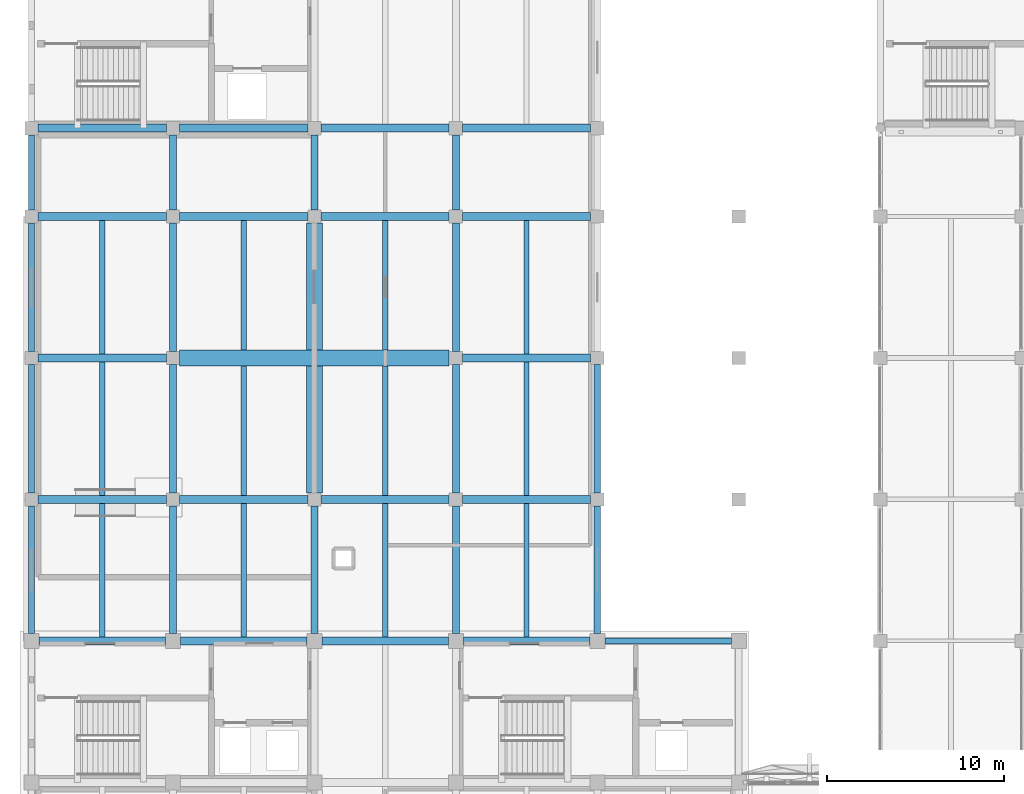
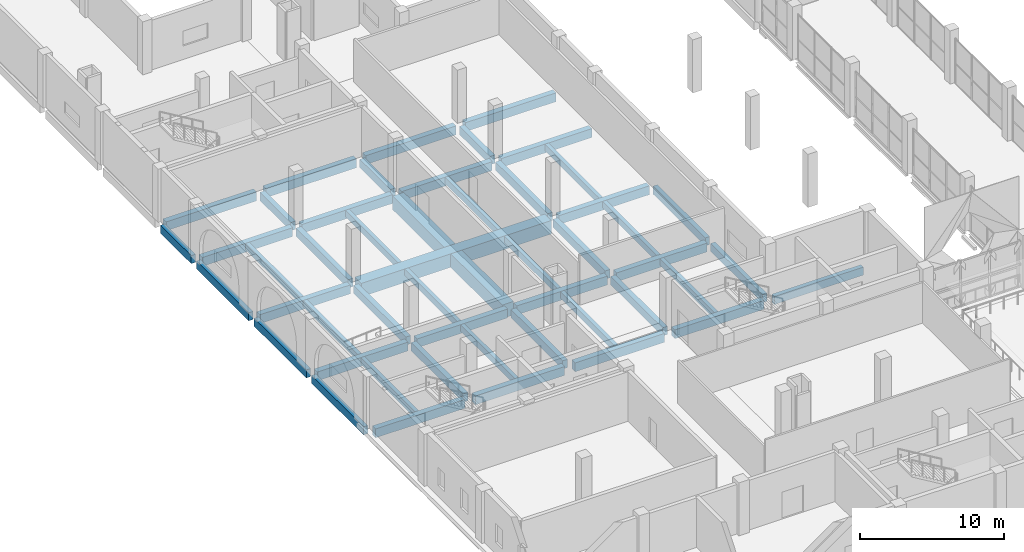
# One storey, part 9 of 53: 49 beams.
"""IFC4 building model written with IfcOpenShell, lengths in metres."""

from ifc_helpers import new_model, si_unit, direction, frame, origin, origin_2d, place, context, subcontext, project, spatial, rectangle, extrude, material, material_profile, profile_set, type_object, element, save


model = new_model("IFC4")

# Units and contexts
model_context = context("Model", 3, precision=1e-05, world=origin(), true_north=direction((0.0, 1.0)))
body_context = subcontext(model_context, "Body", "Model", "MODEL_VIEW")
ifc_project = project(units=[si_unit("LENGTHUNIT", "METRE"), si_unit("AREAUNIT", "SQUARE_METRE"), si_unit("VOLUMEUNIT", "CUBIC_METRE"), si_unit("PLANEANGLEUNIT", "RADIAN"), si_unit("MASSUNIT", "GRAM", prefix="KILO")], contexts=[model_context])

# Site, building, storey
site_placement = place(None, origin())
site = spatial("IfcSite", under=ifc_project, at=site_placement, CompositionType="ELEMENT")
building_placement = place(site_placement, origin())
building = spatial("IfcBuilding", under=site, at=building_placement, Name="Qorikala Patio Media Centre", CompositionType="ELEMENT")
storey_placement = place(building_placement, frame((0.0, 0.0, 5.39990234375)))
storey = spatial("IfcBuildingStorey", under=building, at=storey_placement, Name="L01", CompositionType="ELEMENT", Elevation=5.39990234375)

# Beams
ifc_material = material(Name="Concrete C35/45", Category="concrete")
ifc_material_profile_1 = material_profile(ifc_material, rectangle(XDim=0.39990234375, YDim=0.699951171875, at=origin_2d()), Name="RC 400x700")
ifc_profile_set_1 = profile_set([ifc_material_profile_1], Name="Concrete C35/45")
beam_type_1 = type_object("IfcBeamType", Name="BM-G400X700", PredefinedType="BEAM", material=ifc_profile_set_1)
beam_1_placement = place(storey_placement, frame((11.0, 35.425048828125, -0.64990234375), z_axis=(0.0, 1.0, 0.0), x_axis=(-1.0, 0.0, 0.0)))
element("IfcBeam", 1, at=beam_1_placement, inside=storey, type_object=beam_type_1, Name="L01 Grid X=11 Beam 0552", PredefinedType="BEAM", context=body_context, shape_type="SweptSolid", body=[
    extrude(rectangle(XDim=0.39990234375, YDim=0.699951171875, at=origin_2d()), origin(), (0.0, 0.0, 1.0), 7.199951171875),
])
for number, where, z_axis, x_axis, name in (
    (2, (11.0, 43.375, -0.64990234375), (0.0, 1.0, 0.0), (-1.0, 0.0, 0.0), "L01 Grid X=11 Beam 0553"),
    (3, (11.0, 51.375, -0.64990234375), (0.0, 1.0, 0.0), (-1.0, 0.0, 0.0), "L01 Grid X=11 Beam 0554"),
):
    element("IfcBeam", number, at=place(storey_placement, frame(where, z_axis=z_axis, x_axis=x_axis)), inside=storey, type_object=beam_type_1, Name=name, PredefinedType="BEAM", context=body_context, shape_type="SweptSolid", body=[
        extrude(rectangle(XDim=0.39990234375, YDim=0.699951171875, at=origin_2d()), origin(), (0.0, 0.0, 1.0), 7.25),
    ])
beam_2_placement = place(storey_placement, frame((11.0, 59.375, -0.64990234375), z_axis=(0.0, 1.0, 0.0), x_axis=(-1.0, 0.0, 0.0)))
element("IfcBeam", 4, at=beam_2_placement, inside=storey, type_object=beam_type_1, Name="L01 Grid X=11 Beam 0555", PredefinedType="BEAM", context=body_context, shape_type="SweptSolid", body=[
    extrude(rectangle(XDim=0.39990234375, YDim=0.699951171875, at=origin_2d()), origin(), (0.0, 0.0, 1.0), 4.25),
])
beam_3_placement = place(storey_placement, frame((19.0, 35.425048828125, -0.64990234375), z_axis=(0.0, 1.0, 0.0), x_axis=(-1.0, 0.0, 0.0)))
element("IfcBeam", 5, at=beam_3_placement, inside=storey, type_object=beam_type_1, Name="L01 Grid X=19 Beam 0562", PredefinedType="BEAM", context=body_context, shape_type="SweptSolid", body=[
    extrude(rectangle(XDim=0.39990234375, YDim=0.699951171875, at=origin_2d()), origin(), (0.0, 0.0, 1.0), 7.199951171875),
])
beam_4_placement = place(storey_placement, frame((19.0, 59.375, -0.64990234375), z_axis=(0.0, 1.0, 0.0), x_axis=(-1.0, 0.0, 0.0)))
element("IfcBeam", 6, at=beam_4_placement, inside=storey, type_object=beam_type_1, Name="L01 Grid X=19 Beam 0564", PredefinedType="BEAM", context=body_context, shape_type="SweptSolid", body=[
    extrude(rectangle(XDim=0.39990234375, YDim=0.699951171875, at=origin_2d()), origin(), (0.0, 0.0, 1.0), 4.25),
])
beam_5_placement = place(storey_placement, frame((27.0, 35.425048828125, -0.64990234375), z_axis=(0.0, 1.0, 0.0), x_axis=(-1.0, 0.0, 0.0)))
element("IfcBeam", 7, at=beam_5_placement, inside=storey, type_object=beam_type_1, Name="L01 Grid X=27 Beam 0573", PredefinedType="BEAM", context=body_context, shape_type="SweptSolid", body=[
    extrude(rectangle(XDim=0.39990234375, YDim=0.699951171875, at=origin_2d()), origin(), (0.0, 0.0, 1.0), 7.199951171875),
])
for number, where, z_axis, x_axis, name in (
    (8, (27.0, 43.375, -0.64990234375), (0.0, 1.0, 0.0), (-1.0, 0.0, 0.0), "L01 Grid X=27 Beam 0574"),
    (9, (27.0, 51.375, -0.64990234375), (0.0, 1.0, 0.0), (-1.0, 0.0, 0.0), "L01 Grid X=27 Beam 0575"),
):
    element("IfcBeam", number, at=place(storey_placement, frame(where, z_axis=z_axis, x_axis=x_axis)), inside=storey, type_object=beam_type_1, Name=name, PredefinedType="BEAM", context=body_context, shape_type="SweptSolid", body=[
        extrude(rectangle(XDim=0.39990234375, YDim=0.699951171875, at=origin_2d()), origin(), (0.0, 0.0, 1.0), 7.25),
    ])
beam_6_placement = place(storey_placement, frame((27.0, 59.375, -0.64990234375), z_axis=(0.0, 1.0, 0.0), x_axis=(-1.0, 0.0, 0.0)))
element("IfcBeam", 10, at=beam_6_placement, inside=storey, type_object=beam_type_1, Name="L01 Grid X=27 Beam 0576", PredefinedType="BEAM", context=body_context, shape_type="SweptSolid", body=[
    extrude(rectangle(XDim=0.39990234375, YDim=0.699951171875, at=origin_2d()), origin(), (0.0, 0.0, 1.0), 4.25),
])
ifc_material_profile_2 = material_profile(ifc_material, rectangle(XDim=0.449951171875, YDim=0.75, at=origin_2d()), Name="RC 450x750")
ifc_profile_set_2 = profile_set([ifc_material_profile_2], Name="Concrete C35/45")
beam_type_2 = type_object("IfcBeamType", Name="BM-G450X750", PredefinedType="BEAM", material=ifc_profile_set_2)
for number, where, z_axis, x_axis, name in (
    (11, (3.425048828125, 35.0, -0.6748046875), (1.0, 0.0, 0.0), (0.0, 1.0, 0.0), "L01 Grid 35 Beam 0478"),
    (12, (11.425048828125, 35.0, -0.6748046875), (1.0, 0.0, 0.0), (0.0, 1.0, 0.0), "L01 Grid 35 Beam 0479"),
    (13, (19.425048828125, 35.0, -0.6748046875), (1.0, 0.0, 0.0), (0.0, 1.0, 0.0), "L01 Grid 35 Beam 0480"),
    (14, (27.425048828125, 35.0, -0.6748046875), (1.0, 0.0, 0.0), (0.0, 1.0, 0.0), "L01 Grid 35 Beam 0481"),
):
    element("IfcBeam", number, at=place(storey_placement, frame(where, z_axis=z_axis, x_axis=x_axis)), inside=storey, type_object=beam_type_2, Name=name, PredefinedType="BEAM", context=body_context, shape_type="SweptSolid", body=[
        extrude(rectangle(XDim=0.449951171875, YDim=0.75, at=origin_2d()), origin(), (0.0, 0.0, 1.0), 7.14990234375),
    ])
for number, where, z_axis, x_axis, name in (
    (15, (3.375, 43.0, -0.6748046875), (1.0, 0.0, 0.0), (0.0, 1.0, 0.0), "L01 Grid 43 Beam 0484"),
    (16, (11.375, 43.0, -0.6748046875), (1.0, 0.0, 0.0), (0.0, 1.0, 0.0), "L01 Grid 43 Beam 0485"),
    (17, (19.375, 43.0, -0.6748046875), (1.0, 0.0, 0.0), (0.0, 1.0, 0.0), "L01 Grid 43 Beam 0486"),
    (18, (27.375, 43.0, -0.6748046875), (1.0, 0.0, 0.0), (0.0, 1.0, 0.0), "L01 Grid 43 Beam 0487"),
    (19, (3.375, 51.0, -0.6748046875), (1.0, 0.0, 0.0), (0.0, 1.0, 0.0), "L01 Grid 51 Beam 0489"),
    (20, (27.375, 51.0, -0.6748046875), (1.0, 0.0, 0.0), (0.0, 1.0, 0.0), "L01 Grid 51 Beam 0491"),
    (21, (3.375, 59.0, -0.6748046875), (1.0, 0.0, 0.0), (0.0, 1.0, 0.0), "L01 Grid 59 Beam 0493"),
    (22, (11.375, 59.0, -0.6748046875), (1.0, 0.0, 0.0), (0.0, 1.0, 0.0), "L01 Grid 59 Beam 0494"),
    (23, (19.375, 59.0, -0.6748046875), (1.0, 0.0, 0.0), (0.0, 1.0, 0.0), "L01 Grid 59 Beam 0495"),
    (24, (27.375, 59.0, -0.6748046875), (1.0, 0.0, 0.0), (0.0, 1.0, 0.0), "L01 Grid 59 Beam 0496"),
    (25, (3.375, 64.0, -0.6748046875), (1.0, 0.0, 0.0), (0.0, 1.0, 0.0), "L01 Grid 64 Beam 0498"),
    (26, (11.375, 64.0, -0.6748046875), (1.0, 0.0, 0.0), (0.0, 1.0, 0.0), "L01 Grid 64 Beam 0499"),
    (27, (19.375, 64.0, -0.6748046875), (1.0, 0.0, 0.0), (0.0, 1.0, 0.0), "L01 Grid 64 Beam 0500"),
    (28, (27.375, 64.0, -0.6748046875), (1.0, 0.0, 0.0), (0.0, 1.0, 0.0), "L01 Grid 64 Beam 0501"),
):
    element("IfcBeam", number, at=place(storey_placement, frame(where, z_axis=z_axis, x_axis=x_axis)), inside=storey, type_object=beam_type_2, Name=name, PredefinedType="BEAM", context=body_context, shape_type="SweptSolid", body=[
        extrude(rectangle(XDim=0.449951171875, YDim=0.75, at=origin_2d()), origin(), (0.0, 0.0, 1.0), 7.25),
    ])
ifc_material_profile_3 = material_profile(ifc_material, rectangle(XDim=0.89990234375, YDim=1.14990234375, at=origin_2d()), Name="RC 900x1150")
ifc_profile_set_3 = profile_set([ifc_material_profile_3], Name="Concrete C35/45")
beam_type_3 = type_object("IfcBeamType", Name="BM-TR900X1150", PredefinedType="BEAM", material=ifc_profile_set_3)
for number, where, z_axis, x_axis, name in (
    (29, (11.375, 51.0, -0.875), (1.0, 0.0, 0.0), (0.0, 1.0, 0.0), "L01 Grid 51 Beam 0490"),
    (30, (19.0, 43.375, -0.875), (0.0, 1.0, 0.0), (-1.0, 0.0, 0.0), "L01 Grid X=19 Transfer Girder 0563"),
):
    element("IfcBeam", number, at=place(storey_placement, frame(where, z_axis=z_axis, x_axis=x_axis)), inside=storey, type_object=beam_type_3, Name=name, PredefinedType="BEAM", context=body_context, shape_type="SweptSolid", body=[
        extrude(rectangle(XDim=0.89990234375, YDim=1.14990234375, at=origin_2d()), origin(), (0.0, 0.0, 1.0), 15.25),
    ])
ifc_material_profile_4 = material_profile(ifc_material, rectangle(XDim=0.300048828125, YDim=0.550048828125, at=origin_2d()), Name="RC 300x550")
ifc_profile_set_4 = profile_set([ifc_material_profile_4], Name="Concrete C35/45")
beam_type_4 = type_object("IfcBeamType", Name="JS-300X550", PredefinedType="JOIST", material=ifc_profile_set_4)
for number, where, z_axis, x_axis, name in (
    (31, (7.0, 35.22509765625, -0.574951171875), (0.0, 1.0, 0.0), (-1.0, 0.0, 0.0), "L01 Secondary Joist 0667"),
    (32, (7.0, 43.22509765625, -0.574951171875), (0.0, 1.0, 0.0), (-1.0, 0.0, 0.0), "L01 Secondary Joist 0668"),
    (33, (7.0, 51.22509765625, -0.574951171875), (0.0, 1.0, 0.0), (-1.0, 0.0, 0.0), "L01 Secondary Joist 0669"),
    (34, (15.0, 35.22509765625, -0.574951171875), (0.0, 1.0, 0.0), (-1.0, 0.0, 0.0), "L01 Secondary Joist 0678"),
):
    element("IfcBeam", number, at=place(storey_placement, frame(where, z_axis=z_axis, x_axis=x_axis)), inside=storey, type_object=beam_type_4, Name=name, PredefinedType="JOIST", context=body_context, shape_type="SweptSolid", body=[
        extrude(rectangle(XDim=0.300048828125, YDim=0.550048828125, at=origin_2d()), origin(), (0.0, 0.0, 1.0), 7.5498046875),
    ])
for number, where, z_axis, x_axis, name in (
    (35, (15.0, 43.22509765625, -0.574951171875), (0.0, 1.0, 0.0), (-1.0, 0.0, 0.0), "L01 Secondary Joist 0679"),
    (36, (15.0, 51.449951171875, -0.574951171875), (0.0, 1.0, 0.0), (-1.0, 0.0, 0.0), "L01 Secondary Joist 0680"),
):
    element("IfcBeam", number, at=place(storey_placement, frame(where, z_axis=z_axis, x_axis=x_axis)), inside=storey, type_object=beam_type_4, Name=name, PredefinedType="JOIST", context=body_context, shape_type="SweptSolid", body=[
        extrude(rectangle(XDim=0.300048828125, YDim=0.550048828125, at=origin_2d()), origin(), (0.0, 0.0, 1.0), 7.324951171875),
    ])
beam_7_placement = place(storey_placement, frame((23.0, 35.22509765625, -0.574951171875), z_axis=(0.0, 1.0, 0.0), x_axis=(-1.0, 0.0, 0.0)))
element("IfcBeam", 37, at=beam_7_placement, inside=storey, type_object=beam_type_4, Name="L01 Secondary Joist 0686", PredefinedType="JOIST", context=body_context, shape_type="SweptSolid", body=[
    extrude(rectangle(XDim=0.300048828125, YDim=0.550048828125, at=origin_2d()), origin(), (0.0, 0.0, 1.0), 7.5498046875),
])
for number, where, z_axis, x_axis, name in (
    (38, (23.0, 43.22509765625, -0.574951171875), (0.0, 1.0, 0.0), (-1.0, 0.0, 0.0), "L01 Secondary Joist 0687"),
    (39, (23.0, 51.449951171875, -0.574951171875), (0.0, 1.0, 0.0), (-1.0, 0.0, 0.0), "L01 Secondary Joist 0688"),
):
    element("IfcBeam", number, at=place(storey_placement, frame(where, z_axis=z_axis, x_axis=x_axis)), inside=storey, type_object=beam_type_4, Name=name, PredefinedType="JOIST", context=body_context, shape_type="SweptSolid", body=[
        extrude(rectangle(XDim=0.300048828125, YDim=0.550048828125, at=origin_2d()), origin(), (0.0, 0.0, 1.0), 7.324951171875),
    ])
for number, where, z_axis, x_axis, name in (
    (40, (31.0, 35.22509765625, -0.574951171875), (0.0, 1.0, 0.0), (-1.0, 0.0, 0.0), "L01 Secondary Joist 0695"),
    (41, (31.0, 43.22509765625, -0.574951171875), (0.0, 1.0, 0.0), (-1.0, 0.0, 0.0), "L01 Secondary Joist 0696"),
    (42, (31.0, 51.22509765625, -0.574951171875), (0.0, 1.0, 0.0), (-1.0, 0.0, 0.0), "L01 Secondary Joist 0697"),
):
    element("IfcBeam", number, at=place(storey_placement, frame(where, z_axis=z_axis, x_axis=x_axis)), inside=storey, type_object=beam_type_4, Name=name, PredefinedType="JOIST", context=body_context, shape_type="SweptSolid", body=[
        extrude(rectangle(XDim=0.300048828125, YDim=0.550048828125, at=origin_2d()), origin(), (0.0, 0.0, 1.0), 7.5498046875),
    ])
ifc_material_profile_5 = material_profile(ifc_material, rectangle(XDim=0.35009765625, YDim=0.679931640625, at=origin_2d()), Name="RC 350x680")
ifc_profile_set_5 = profile_set([ifc_material_profile_5], Name="Concrete C35/45")
beam_type_5 = type_object("IfcBeamType", Name="SP-350X680", PredefinedType="SPANDREL", material=ifc_profile_set_5)
beam_8_placement = place(storey_placement, frame((35.425048828125, 35.0, -0.639892578125), z_axis=(1.0, 0.0, 0.0), x_axis=(0.0, 1.0, 0.0)))
element("IfcBeam", 43, at=beam_8_placement, inside=storey, type_object=beam_type_5, Name="L01 Grid 35 Beam 0482", PredefinedType="SPANDREL", context=body_context, shape_type="SweptSolid", body=[
    extrude(rectangle(XDim=0.35009765625, YDim=0.679931640625, at=origin_2d()), origin(), (0.0, 0.0, 1.0), 7.14990234375),
])
beam_9_placement = place(storey_placement, frame((3.0, 35.425048828125, -0.639892578125), z_axis=(0.0, 1.0, 0.0), x_axis=(-1.0, 0.0, 0.0)))
element("IfcBeam", 44, at=beam_9_placement, inside=storey, type_object=beam_type_5, Name="L01 Grid X=3 Beam 0539", PredefinedType="SPANDREL", context=body_context, shape_type="SweptSolid", body=[
    extrude(rectangle(XDim=0.35009765625, YDim=0.679931640625, at=origin_2d()), origin(), (0.0, 0.0, 1.0), 7.199951171875),
])
for number, where, z_axis, x_axis, name in (
    (45, (3.0, 43.375, -0.639892578125), (0.0, 1.0, 0.0), (-1.0, 0.0, 0.0), "L01 Grid X=3 Beam 0540"),
    (46, (3.0, 51.375, -0.639892578125), (0.0, 1.0, 0.0), (-1.0, 0.0, 0.0), "L01 Grid X=3 Beam 0541"),
):
    element("IfcBeam", number, at=place(storey_placement, frame(where, z_axis=z_axis, x_axis=x_axis)), inside=storey, type_object=beam_type_5, Name=name, PredefinedType="SPANDREL", context=body_context, shape_type="SweptSolid", body=[
        extrude(rectangle(XDim=0.35009765625, YDim=0.679931640625, at=origin_2d()), origin(), (0.0, 0.0, 1.0), 7.25),
    ])
beam_10_placement = place(storey_placement, frame((3.0, 59.375, -0.639892578125), z_axis=(0.0, 1.0, 0.0), x_axis=(-1.0, 0.0, 0.0)))
element("IfcBeam", 47, at=beam_10_placement, inside=storey, type_object=beam_type_5, Name="L01 Grid X=3 Beam 0542", PredefinedType="SPANDREL", context=body_context, shape_type="SweptSolid", body=[
    extrude(rectangle(XDim=0.35009765625, YDim=0.679931640625, at=origin_2d()), origin(), (0.0, 0.0, 1.0), 4.25),
])
beam_11_placement = place(storey_placement, frame((35.0, 35.425048828125, -0.639892578125), z_axis=(0.0, 1.0, 0.0), x_axis=(-1.0, 0.0, 0.0)))
element("IfcBeam", 48, at=beam_11_placement, inside=storey, type_object=beam_type_5, Name="L01 Grid X=35 Beam 0585", PredefinedType="SPANDREL", context=body_context, shape_type="SweptSolid", body=[
    extrude(rectangle(XDim=0.35009765625, YDim=0.679931640625, at=origin_2d()), origin(), (0.0, 0.0, 1.0), 7.199951171875),
])
beam_12_placement = place(storey_placement, frame((35.0, 43.375, -0.639892578125), z_axis=(0.0, 1.0, 0.0), x_axis=(-1.0, 0.0, 0.0)))
element("IfcBeam", 49, at=beam_12_placement, inside=storey, type_object=beam_type_5, Name="L01 Grid X=35 Beam 0586", PredefinedType="SPANDREL", context=body_context, shape_type="SweptSolid", body=[
    extrude(rectangle(XDim=0.35009765625, YDim=0.679931640625, at=origin_2d()), origin(), (0.0, 0.0, 1.0), 7.25),
])

save(model, "model.ifc")
